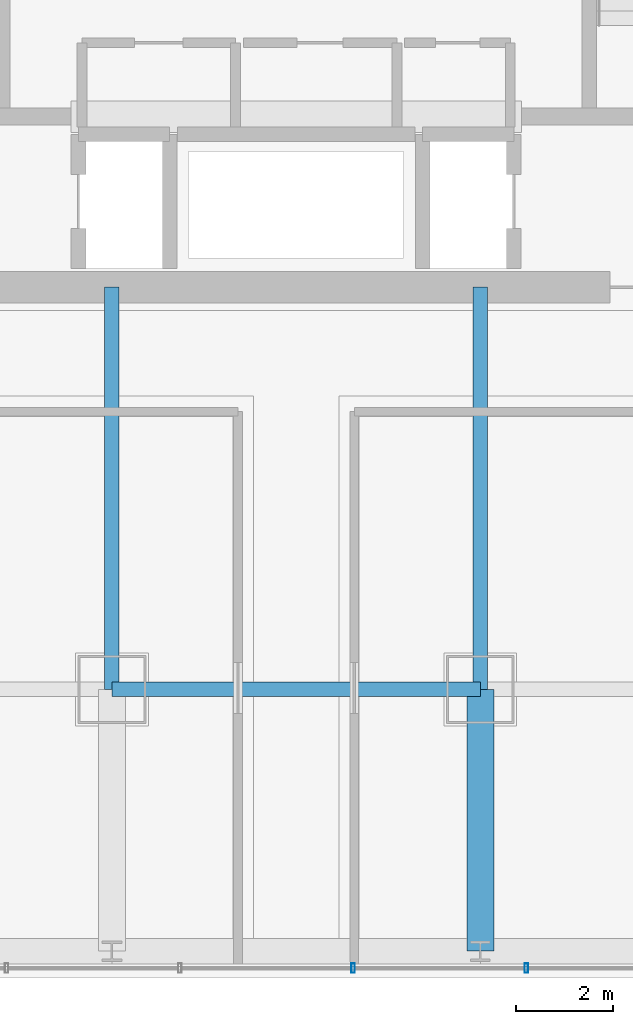
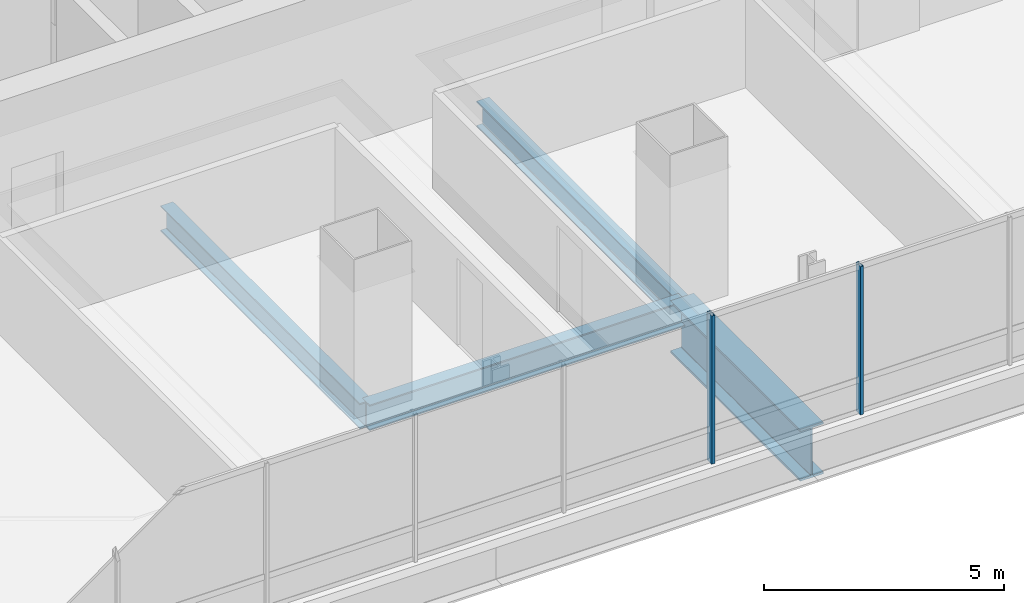
# One storey, part 7 of 46: 4 beams, 2 members, 1 element without a shape of its own.
"""IFC4 building model written with IfcOpenShell, lengths in metres."""

from ifc_helpers import new_model, si_unit, direction, frame, origin, origin_2d, place, context, subcontext, project, spatial, hollow_rectangle, i_section, extrude, material, material_profile, profile_set, type_object, element, aggregate, save


model = new_model("IFC4")

# Units and contexts
model_context = context("Model", 3, precision=1e-05, world=origin(), true_north=direction((0.0, 1.0)))
body_context = subcontext(model_context, "Body", "Model", "MODEL_VIEW")
ifc_project = project(units=[si_unit("LENGTHUNIT", "METRE"), si_unit("AREAUNIT", "SQUARE_METRE"), si_unit("VOLUMEUNIT", "CUBIC_METRE"), si_unit("PLANEANGLEUNIT", "RADIAN"), si_unit("MASSUNIT", "GRAM", prefix="KILO")], contexts=[model_context])

# Site, building, storey
site_placement = place(None, origin())
site = spatial("IfcSite", under=ifc_project, at=site_placement, CompositionType="ELEMENT")
building_placement = place(site_placement, origin())
building = spatial("IfcBuilding", under=site, at=building_placement, Name="Punatoya Terracotta Tower", CompositionType="ELEMENT")
storey_placement = place(building_placement, frame((0.0, 0.0, 200.550048828125)))
storey = spatial("IfcBuildingStorey", under=building, at=storey_placement, Name="L47", CompositionType="ELEMENT", Elevation=200.550048828125)

# Beams
ifc_material_1 = material(Name="Steel S355", Category="steel")
ifc_material_profile_1 = material_profile(ifc_material_1, i_section(OverallWidth=0.300048828125, OverallDepth=0.64990234375, WebThickness=0.01611328125, FlangeThickness=0.031005859375, FilletRadius=0.01806640625, at=origin_2d()))
ifc_profile_set_1 = profile_set([ifc_material_profile_1], Name="Steel S355")
beam_type_1 = type_object("IfcBeamType", Name="BM-PRI-650", PredefinedType="BEAM", material=ifc_profile_set_1)
beam_1_placement = place(storey_placement, frame((-3.800048828125, -17.5, -0.545166015625), z_axis=(1.0, 0.0, 0.0), x_axis=(0.0, 1.0, 0.0)))
element("IfcBeam", 1, at=beam_1_placement, inside=storey, type_object=beam_type_1, Name="BM-L47-RG-S2", PredefinedType="BEAM", context=body_context, shape_type="SweptSolid", body=[
    extrude(i_section(OverallWidth=0.300048828125, OverallDepth=0.64990234375, WebThickness=0.01611328125, FlangeThickness=0.031005859375, FilletRadius=0.01806640625, at=origin_2d()), origin(), (0.0, 0.0, 1.0), 7.60009765625),
])
for number, where, z_axis, x_axis, name in (
    (2, (-3.800048828125, -17.5, -0.545166015625), (0.0, 1.0, 0.0), (-1.0, 0.0, 0.0), "BM-L47-PR-S2"),
    (3, (3.800048828125, -17.5, -0.545166015625), (0.0, 1.0, 0.0), (-1.0, 0.0, 0.0), "BM-L47-PR-S3"),
):
    element("IfcBeam", number, at=place(storey_placement, frame(where, z_axis=z_axis, x_axis=x_axis)), inside=storey, type_object=beam_type_1, Name=name, PredefinedType="BEAM", context=body_context, shape_type="SweptSolid", body=[
        extrude(i_section(OverallWidth=0.300048828125, OverallDepth=0.64990234375, WebThickness=0.01611328125, FlangeThickness=0.031005859375, FilletRadius=0.01806640625, at=origin_2d()), origin(), (0.0, 0.0, 1.0), 8.300048828125),
    ])
ifc_material_2 = material(Name="Steel S460", Category="steel")
ifc_material_profile_2 = material_profile(ifc_material_2, i_section(OverallWidth=0.56005859375, OverallDepth=1.320068359375, WebThickness=0.035888671875, FlangeThickness=0.054931640625, FilletRadius=0.01806640625, at=origin_2d()))
ifc_profile_set_2 = profile_set([ifc_material_profile_2], Name="Steel S460")
beam_type_2 = type_object("IfcBeamType", Name="BM-TG-BLK", PredefinedType="BEAM", material=ifc_profile_set_2)
beam_2_placement = place(storey_placement, frame((3.800048828125, -22.89990234375, -0.880126953125), z_axis=(0.0, 1.0, 0.0), x_axis=(-1.0, 0.0, 0.0)))
element("IfcBeam", 4, at=beam_2_placement, inside=storey, type_object=beam_type_2, Name="BM-L47-CANT-S3", PredefinedType="BEAM", context=body_context, shape_type="SweptSolid", body=[
    extrude(i_section(OverallWidth=0.56005859375, OverallDepth=1.320068359375, WebThickness=0.035888671875, FlangeThickness=0.054931640625, FilletRadius=0.01806640625, at=origin_2d()), origin(), (0.0, 0.0, 1.0), 5.39990234375),
])

# Curtain wall, members
ifc_material_3 = material(Name="Aluminium 6063-T6 + Double Low-E Glass", Category="aluminium")
curtain_wall_type = type_object("IfcCurtainWallType", Name="CW-M2", PredefinedType="NOTDEFINED", material=ifc_material_3)
curtain_wall_placement = place(storey_placement, origin())
curtain_wall = element("IfcCurtainWall", 5, at=curtain_wall_placement, inside=storey, type_object=curtain_wall_type, Name="L47 Curtain Wall CW-L47-S01-1", PredefinedType="NOTDEFINED")
ifc_material_4 = material(Name="Aluminium 6063-T6", Category="aluminium")
ifc_material_profile_3 = material_profile(ifc_material_4, hollow_rectangle(XDim=0.072021484375, YDim=0.195068359375, WallThickness=0.00439453125, at=origin_2d()))
ifc_profile_set_3 = profile_set([ifc_material_profile_3], Name="Aluminium 6063-T6")
member_type = type_object("IfcMemberType", Name="CW-MUL-M2", PredefinedType="MULLION", material=ifc_profile_set_3)
member_1_placement = place(storey_placement, frame((1.175048828125, -23.25, 0.0), z_axis=(0.0, 0.0, 1.0), x_axis=(1.0, 0.0, 0.0)))
member_1 = element("IfcMember", 6, at=member_1_placement, type_object=member_type, Name="CW-L47-S01-1 Mullion 05", PredefinedType="MULLION", context=body_context, shape_type="SweptSolid", body=[
    extrude(hollow_rectangle(XDim=0.072021484375, YDim=0.195068359375, WallThickness=0.00439453125, at=origin_2d()), origin(), (0.0, 0.0, 1.0), 3.77001953125),
])
member_2_placement = place(storey_placement, frame((4.75, -23.25, 0.0), z_axis=(0.0, 0.0, 1.0), x_axis=(1.0, 0.0, 0.0)))
member_2 = element("IfcMember", 7, at=member_2_placement, type_object=member_type, Name="CW-L47-S01-1 Mullion 06", PredefinedType="MULLION", context=body_context, shape_type="SweptSolid", body=[
    extrude(hollow_rectangle(XDim=0.072021484375, YDim=0.195068359375, WallThickness=0.00439453125, at=origin_2d()), origin(), (0.0, 0.0, 1.0), 3.77001953125),
])
aggregate(curtain_wall, [member_1, member_2])

save(model, "model.ifc")
